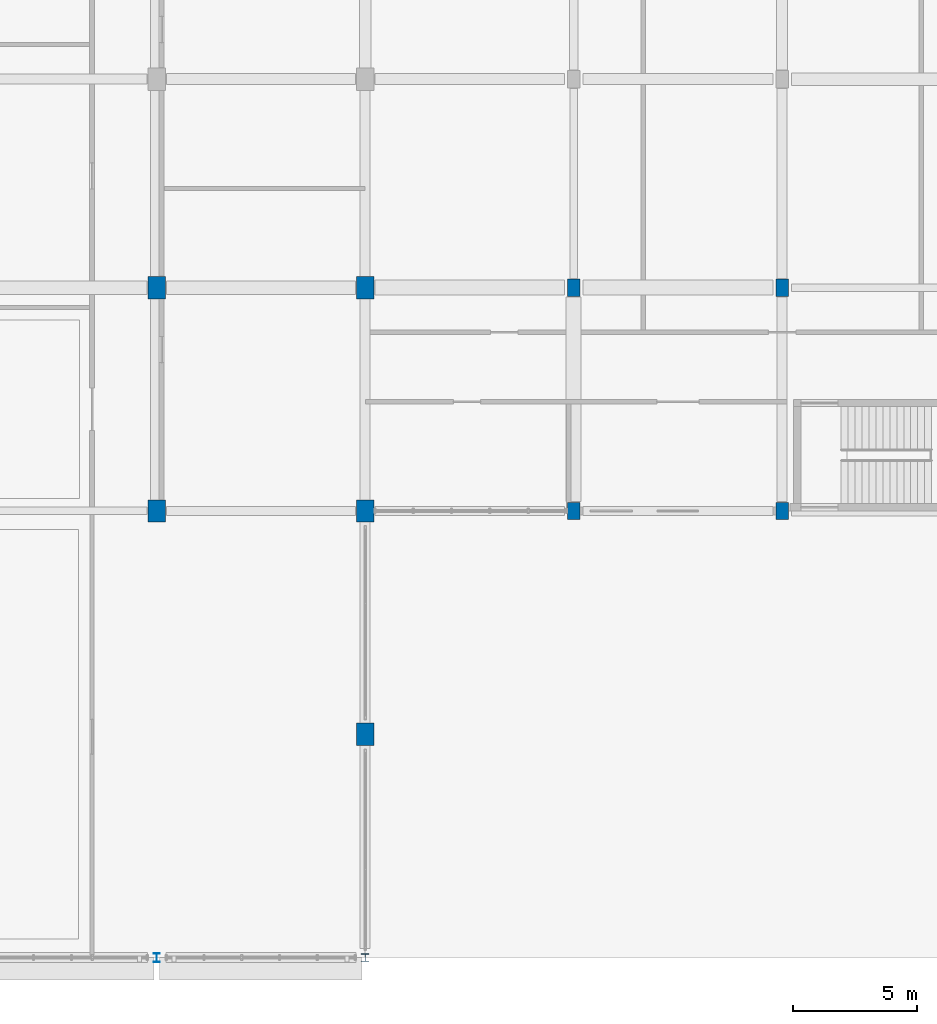
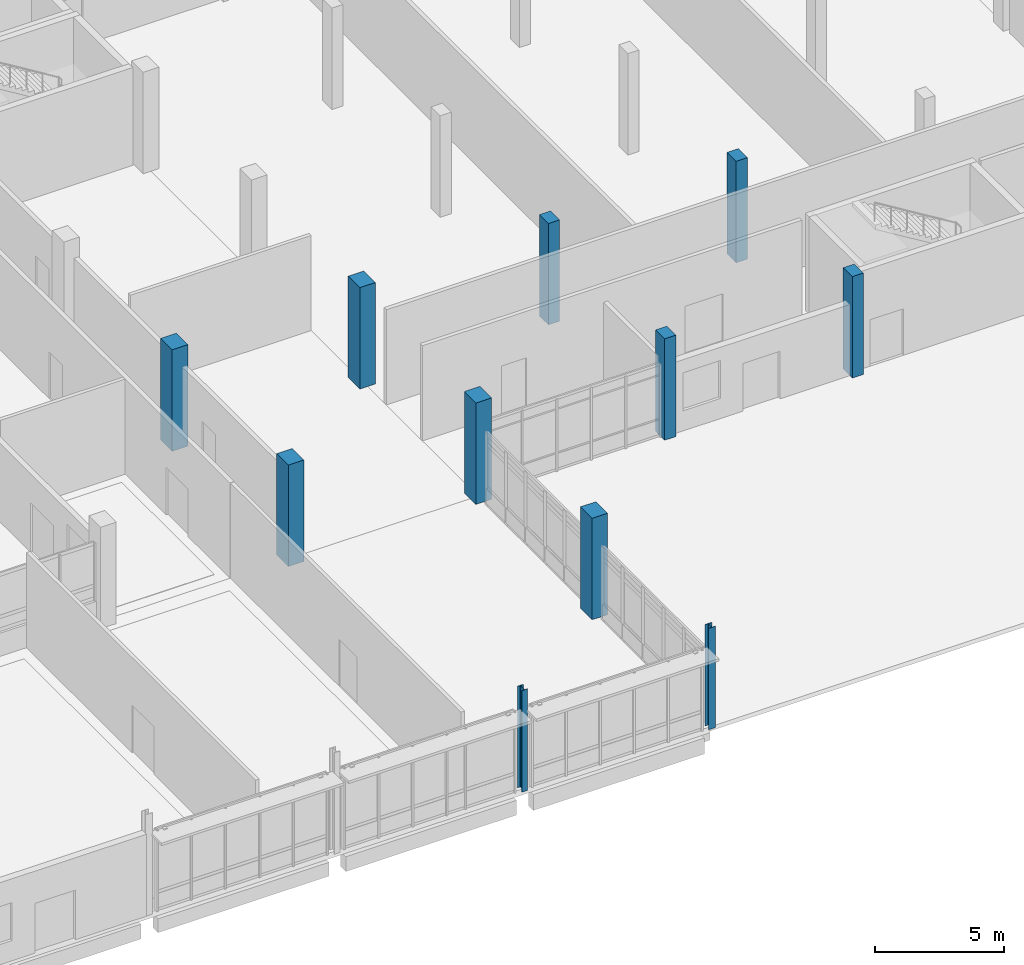
# One storey, part 5 of 95: 11 columns.
"""IFC4 building model written with IfcOpenShell, lengths in metres."""

from ifc_helpers import new_model, si_unit, direction, frame, origin, origin_2d, place, context, subcontext, project, spatial, rectangle, i_section, extrude, material, material_profile, profile_set, type_object, element, save


model = new_model("IFC4")

# Units and contexts
model_context = context("Model", 3, precision=1e-05, world=origin(), true_north=direction((0.0, 1.0)))
body_context = subcontext(model_context, "Body", "Model", "MODEL_VIEW")
ifc_project = project(units=[si_unit("LENGTHUNIT", "METRE"), si_unit("AREAUNIT", "SQUARE_METRE"), si_unit("VOLUMEUNIT", "CUBIC_METRE"), si_unit("PLANEANGLEUNIT", "RADIAN"), si_unit("MASSUNIT", "GRAM", prefix="KILO")], contexts=[model_context])

# Site, building, storey
site_placement = place(None, origin())
site = spatial("IfcSite", under=ifc_project, at=site_placement, CompositionType="ELEMENT")
building_placement = place(site_placement, origin())
building = spatial("IfcBuilding", under=site, at=building_placement, Name="Vireocrest Preparatory School", CompositionType="ELEMENT")
storey_placement = place(building_placement, origin())
storey = spatial("IfcBuildingStorey", under=building, at=storey_placement, Name="L00", CompositionType="ELEMENT", Elevation=0.0)

# Columns
ifc_material_1 = material(Name="Concrete 45 MPa", Category="concrete")
ifc_material_profile_1 = material_profile(ifc_material_1, rectangle(XDim=0.5, YDim=0.699951171875, at=origin_2d()), Name="RC 500x700")
ifc_profile_set_1 = profile_set([ifc_material_profile_1], Name="Concrete 45 MPa")
column_type_1 = type_object("IfcColumnType", Name="RC Hall Column 500x700", PredefinedType="COLUMN", material=ifc_profile_set_1)
for number, where, z_axis, x_axis, name in (
    (1, (117.60009765625, 18.0, 0.0), (0.0, 0.0, 1.0), (1.0, 0.0, 0.0), "Column C12 L00 15/C"),
    (2, (117.60009765625, 27.0, 0.0), (0.0, 0.0, 1.0), (1.0, 0.0, 0.0), "Column C12 L00 15/D"),
    (3, (126.0, 18.0, 0.0), (0.0, 0.0, 1.0), (1.0, 0.0, 0.0), "Column C12 L00 16/C"),
    (4, (126.0, 27.0, 0.0), (0.0, 0.0, 1.0), (1.0, 0.0, 0.0), "Column C12 L00 16/D"),
):
    element("IfcColumn", number, at=place(storey_placement, frame(where, z_axis=z_axis, x_axis=x_axis)), inside=storey, type_object=column_type_1, Name=name, PredefinedType="COLUMN", context=body_context, shape_type="SweptSolid", body=[
        extrude(rectangle(XDim=0.5, YDim=0.699951171875, at=origin_2d()), origin(), (0.0, 0.0, 1.0), 4.800048828125),
    ])
ifc_material_profile_2 = material_profile(ifc_material_1, rectangle(XDim=0.699951171875, YDim=0.89990234375, at=origin_2d()), Name="RC 700x900")
ifc_profile_set_2 = profile_set([ifc_material_profile_2], Name="Concrete 45 MPa")
column_type_2 = type_object("IfcColumnType", Name="RC Transfer Column 700x900", PredefinedType="COLUMN", material=ifc_profile_set_2)
for number, where, z_axis, x_axis, name in (
    (5, (100.800048828125, 18.0, 0.0), (0.0, 0.0, 1.0), (1.0, 0.0, 0.0), "Column C16 L00 13/C"),
    (6, (100.800048828125, 27.0, 0.0), (0.0, 0.0, 1.0), (1.0, 0.0, 0.0), "Column C16 L00 13/D"),
    (7, (109.199951171875, 9.0, 0.0), (0.0, 0.0, 1.0), (1.0, 0.0, 0.0), "Column C16 L00 14/B"),
    (8, (109.199951171875, 18.0, 0.0), (0.0, 0.0, 1.0), (1.0, 0.0, 0.0), "Column C16 L00 14/C"),
    (9, (109.199951171875, 27.0, 0.0), (0.0, 0.0, 1.0), (1.0, 0.0, 0.0), "Column C16 L00 14/D"),
):
    element("IfcColumn", number, at=place(storey_placement, frame(where, z_axis=z_axis, x_axis=x_axis)), inside=storey, type_object=column_type_2, Name=name, PredefinedType="COLUMN", context=body_context, shape_type="SweptSolid", body=[
        extrude(rectangle(XDim=0.699951171875, YDim=0.89990234375, at=origin_2d()), origin(), (0.0, 0.0, 1.0), 4.800048828125),
    ])
ifc_material_2 = material(Name="Structural steel ASTM A992 Grade 50", Category="steel")
ifc_material_profile_3 = material_profile(ifc_material_2, i_section(OverallWidth=0.256103515625, OverallDepth=0.360107421875, WebThickness=0.011474609375, FlangeThickness=0.02001953125, FilletRadius=0.014892578125, at=origin_2d()), Name="W14X74")
ifc_profile_set_3 = profile_set([ifc_material_profile_3], Name="Structural steel ASTM A992 Grade 50")
column_type_3 = type_object("IfcColumnType", Name="Steel Gable Column W14X74", PredefinedType="COLUMN", material=ifc_profile_set_3)
column_1_placement = place(storey_placement, frame((100.800048828125, 0.0, 0.0), z_axis=(0.0, 0.0, 1.0), x_axis=(1.0, 0.0, 0.0)))
element("IfcColumn", 10, at=column_1_placement, inside=storey, type_object=column_type_3, Name="Column SC2 L00 13/A", PredefinedType="COLUMN", context=body_context, shape_type="SweptSolid", body=[
    extrude(i_section(OverallWidth=0.256103515625, OverallDepth=0.360107421875, WebThickness=0.011474609375, FlangeThickness=0.02001953125, FilletRadius=0.014892578125, at=origin_2d()), origin(), (0.0, 0.0, 1.0), 4.800048828125),
])
ifc_material_profile_4 = material_profile(ifc_material_2, i_section(OverallWidth=0.304931640625, OverallDepth=0.30810546875, WebThickness=0.010009765625, FlangeThickness=0.015380859375, FilletRadius=0.012939453125, at=origin_2d()), Name="W12X65")
ifc_profile_set_4 = profile_set([ifc_material_profile_4], Name="Structural steel ASTM A992 Grade 50")
column_type_4 = type_object("IfcColumnType", Name="Steel Pavilion Column W12X65", PredefinedType="COLUMN", material=ifc_profile_set_4)
column_2_placement = place(storey_placement, frame((109.199951171875, 0.0, 0.0), z_axis=(0.0, 0.0, 1.0), x_axis=(1.0, 0.0, 0.0)))
element("IfcColumn", 11, at=column_2_placement, inside=storey, type_object=column_type_4, Name="Column SC3 L00 14/A", PredefinedType="COLUMN", context=body_context, shape_type="SweptSolid", body=[
    extrude(i_section(OverallWidth=0.304931640625, OverallDepth=0.30810546875, WebThickness=0.010009765625, FlangeThickness=0.015380859375, FilletRadius=0.012939453125, at=origin_2d()), origin(), (0.0, 0.0, 1.0), 4.800048828125),
])

save(model, "model.ifc")
